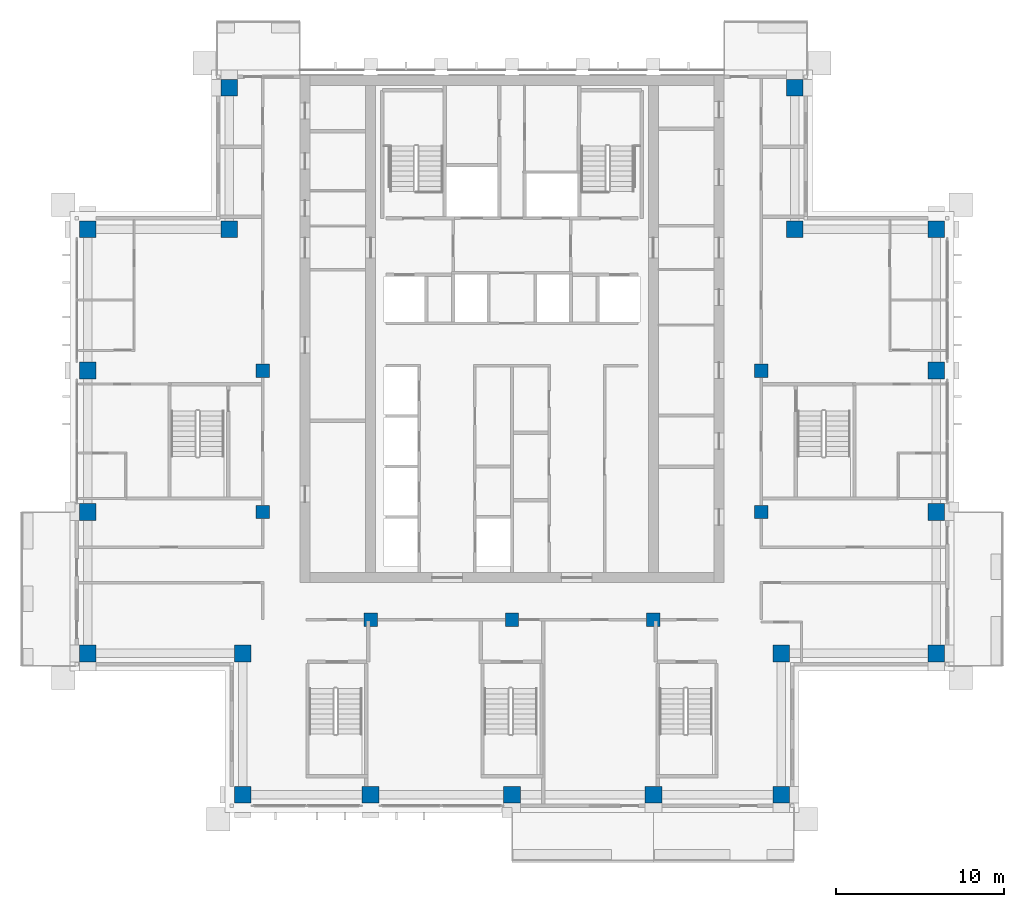
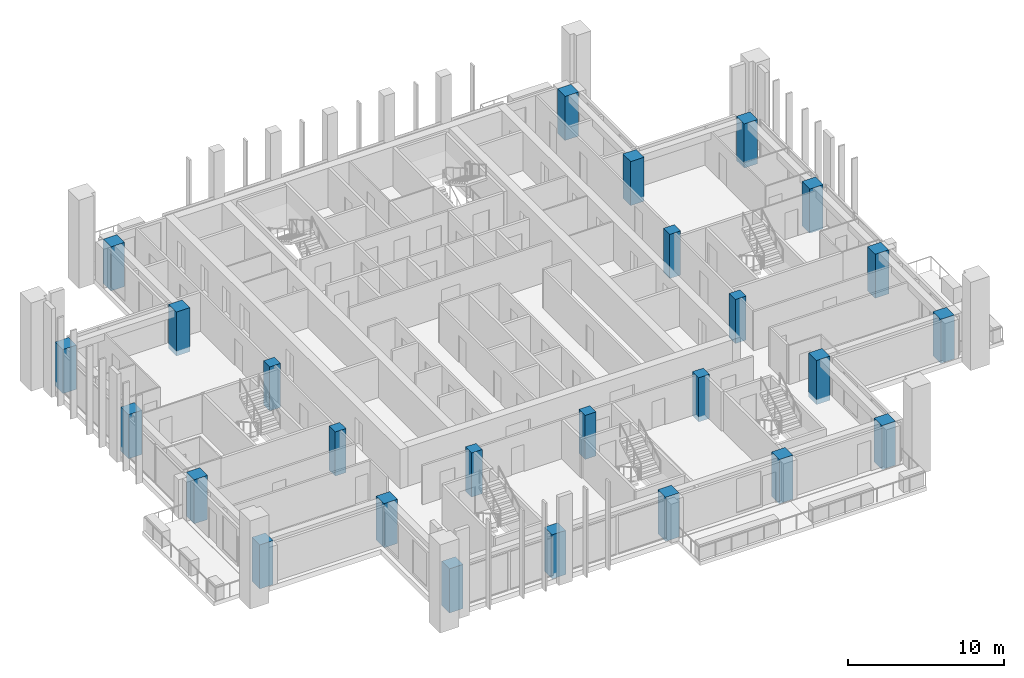
# One storey, part 1 of 18: 26 columns.
"""IFC4 building model written with IfcOpenShell, lengths in metres."""

from ifc_helpers import new_model, si_unit, direction, frame, origin, origin_2d, place, context, subcontext, project, spatial, rectangle, extrude, material, material_profile, profile_set, type_object, element, save


model = new_model("IFC4")

# Units and contexts
model_context = context("Model", 3, precision=1e-05, world=origin(), true_north=direction((0.0, 1.0)))
body_context = subcontext(model_context, "Body", "Model", "MODEL_VIEW")
ifc_project = project(units=[si_unit("LENGTHUNIT", "METRE"), si_unit("AREAUNIT", "SQUARE_METRE"), si_unit("VOLUMEUNIT", "CUBIC_METRE"), si_unit("PLANEANGLEUNIT", "RADIAN"), si_unit("MASSUNIT", "GRAM", prefix="KILO")], contexts=[model_context])

# Site, building, storey
site_placement = place(None, origin())
site = spatial("IfcSite", under=ifc_project, at=site_placement, CompositionType="ELEMENT")
building_placement = place(site_placement, origin())
building = spatial("IfcBuilding", under=site, at=building_placement, Name="Vermilion Ogive Tower", CompositionType="ELEMENT")
storey_placement = place(building_placement, frame((0.0, 0.0, 185.89990234375)))
storey = spatial("IfcBuildingStorey", under=building, at=storey_placement, Name="L48", CompositionType="ELEMENT", Elevation=185.89990234375)

# Columns
ifc_material_1 = material(Name="Concrete B60", Category="concrete")
ifc_material_profile_1 = material_profile(ifc_material_1, rectangle(XDim=1.0, YDim=1.0, at=origin_2d()), Name="1000 x 1000")
ifc_profile_set_1 = profile_set([ifc_material_profile_1], Name="Concrete B60")
column_type_1 = type_object("IfcColumnType", Name="Perimeter column 1000 x 1000 B60", PredefinedType="COLUMN", material=ifc_profile_set_1)
for number, where, z_axis, x_axis, name in (
    (1, (-16.0, -21.0, -0.39990234375), (0.0, 0.0, 1.0), (1.0, 0.0, 0.0), "COL-L48-P-0160-210"),
    (2, (-8.39990234375, -21.0, -0.39990234375), (0.0, 0.0, 1.0), (1.0, 0.0, 0.0), "COL-L48-P-0084-210"),
    (3, (0.0, -21.0, -0.39990234375), (0.0, 0.0, 1.0), (1.0, 0.0, 0.0), "COL-L48-P+0000-210"),
    (4, (8.39990234375, -21.0, -0.39990234375), (0.0, 0.0, 1.0), (1.0, 0.0, 0.0), "COL-L48-P+0084-210"),
    (5, (16.0, -21.0, -0.39990234375), (0.0, 0.0, 1.0), (1.0, 0.0, 0.0), "COL-L48-P+0160-210"),
    (6, (-25.199951171875, -12.60009765625, -0.39990234375), (0.0, 0.0, 1.0), (1.0, 0.0, 0.0), "COL-L48-P-0252-126"),
    (7, (-16.0, -12.60009765625, -0.39990234375), (0.0, 0.0, 1.0), (1.0, 0.0, 0.0), "COL-L48-P-0160-126"),
    (8, (16.0, -12.60009765625, -0.39990234375), (0.0, 0.0, 1.0), (1.0, 0.0, 0.0), "COL-L48-P+0160-126"),
    (9, (25.199951171875, -12.60009765625, -0.39990234375), (0.0, 0.0, 1.0), (1.0, 0.0, 0.0), "COL-L48-P+0252-126"),
    (10, (-25.199951171875, -4.199951171875, -0.39990234375), (0.0, 0.0, 1.0), (1.0, 0.0, 0.0), "COL-L48-P-0252-042"),
    (11, (25.199951171875, -4.199951171875, -0.39990234375), (0.0, 0.0, 1.0), (1.0, 0.0, 0.0), "COL-L48-P+0252-042"),
    (12, (-25.199951171875, 4.199951171875, -0.39990234375), (0.0, 0.0, 1.0), (1.0, 0.0, 0.0), "COL-L48-P-0252+042"),
    (13, (25.199951171875, 4.199951171875, -0.39990234375), (0.0, 0.0, 1.0), (1.0, 0.0, 0.0), "COL-L48-P+0252+042"),
    (14, (-25.199951171875, 12.60009765625, -0.39990234375), (0.0, 0.0, 1.0), (1.0, 0.0, 0.0), "COL-L48-P-0252+126"),
    (15, (-16.800048828125, 12.60009765625, -0.39990234375), (0.0, 0.0, 1.0), (1.0, 0.0, 0.0), "COL-L48-P-0168+126"),
    (16, (16.800048828125, 12.60009765625, -0.39990234375), (0.0, 0.0, 1.0), (1.0, 0.0, 0.0), "COL-L48-P+0168+126"),
    (17, (25.199951171875, 12.60009765625, -0.39990234375), (0.0, 0.0, 1.0), (1.0, 0.0, 0.0), "COL-L48-P+0252+126"),
    (18, (-16.800048828125, 21.0, -0.39990234375), (0.0, 0.0, 1.0), (1.0, 0.0, 0.0), "COL-L48-P-0168+210"),
    (19, (16.800048828125, 21.0, -0.39990234375), (0.0, 0.0, 1.0), (1.0, 0.0, 0.0), "COL-L48-P+0168+210"),
):
    element("IfcColumn", number, at=place(storey_placement, frame(where, z_axis=z_axis, x_axis=x_axis)), inside=storey, type_object=column_type_1, Name=name, PredefinedType="COLUMN", context=body_context, shape_type="SweptSolid", body=[
        extrude(rectangle(XDim=1.0, YDim=1.0, at=origin_2d()), origin(), (0.0, 0.0, 1.0), 3.449951171875),
    ])
ifc_material_2 = material(Name="Concrete B60", Category="concrete")
ifc_material_profile_2 = material_profile(ifc_material_2, rectangle(XDim=0.800048828125, YDim=0.800048828125, at=origin_2d()), Name="800 x 800")
ifc_profile_set_2 = profile_set([ifc_material_profile_2], Name="Concrete B60")
column_type_2 = type_object("IfcColumnType", Name="Ring column 800 x 800 B60", PredefinedType="COLUMN", material=ifc_profile_set_2)
for number, where, z_axis, x_axis, name in (
    (20, (-8.39990234375, -10.60009765625, -0.39990234375), (0.0, 0.0, 1.0), (1.0, 0.0, 0.0), "COL-L48-R-0084-106"),
    (21, (0.0, -10.60009765625, -0.39990234375), (0.0, 0.0, 1.0), (1.0, 0.0, 0.0), "COL-L48-R+0000-106"),
    (22, (8.39990234375, -10.60009765625, -0.39990234375), (0.0, 0.0, 1.0), (1.0, 0.0, 0.0), "COL-L48-R+0084-106"),
    (23, (-14.800048828125, -4.199951171875, -0.39990234375), (0.0, 0.0, 1.0), (1.0, 0.0, 0.0), "COL-L48-R-0148-042"),
    (24, (14.800048828125, -4.199951171875, -0.39990234375), (0.0, 0.0, 1.0), (1.0, 0.0, 0.0), "COL-L48-R+0148-042"),
    (25, (-14.800048828125, 4.199951171875, -0.39990234375), (0.0, 0.0, 1.0), (1.0, 0.0, 0.0), "COL-L48-R-0148+042"),
    (26, (14.800048828125, 4.199951171875, -0.39990234375), (0.0, 0.0, 1.0), (1.0, 0.0, 0.0), "COL-L48-R+0148+042"),
):
    element("IfcColumn", number, at=place(storey_placement, frame(where, z_axis=z_axis, x_axis=x_axis)), inside=storey, type_object=column_type_2, Name=name, PredefinedType="COLUMN", context=body_context, shape_type="SweptSolid", body=[
        extrude(rectangle(XDim=0.800048828125, YDim=0.800048828125, at=origin_2d()), origin(), (0.0, 0.0, 1.0), 3.449951171875),
    ])

save(model, "model.ifc")
